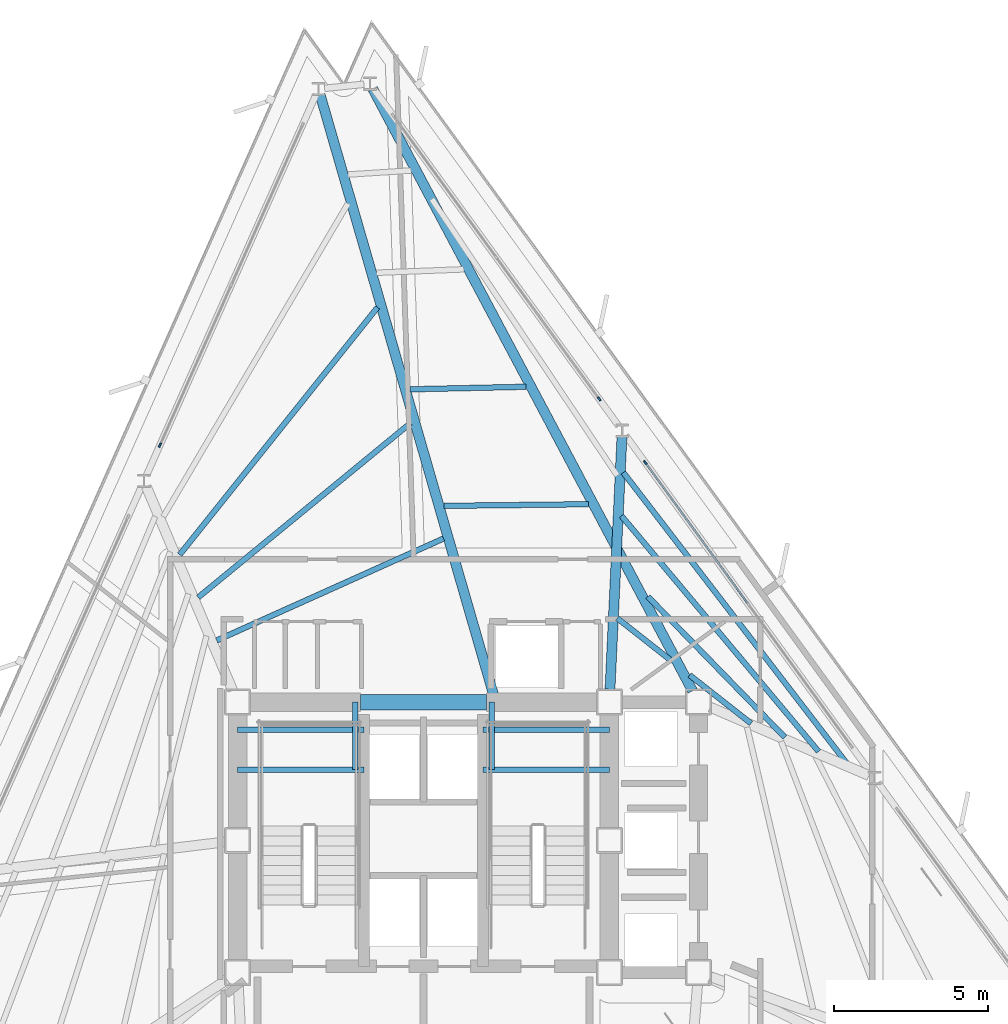
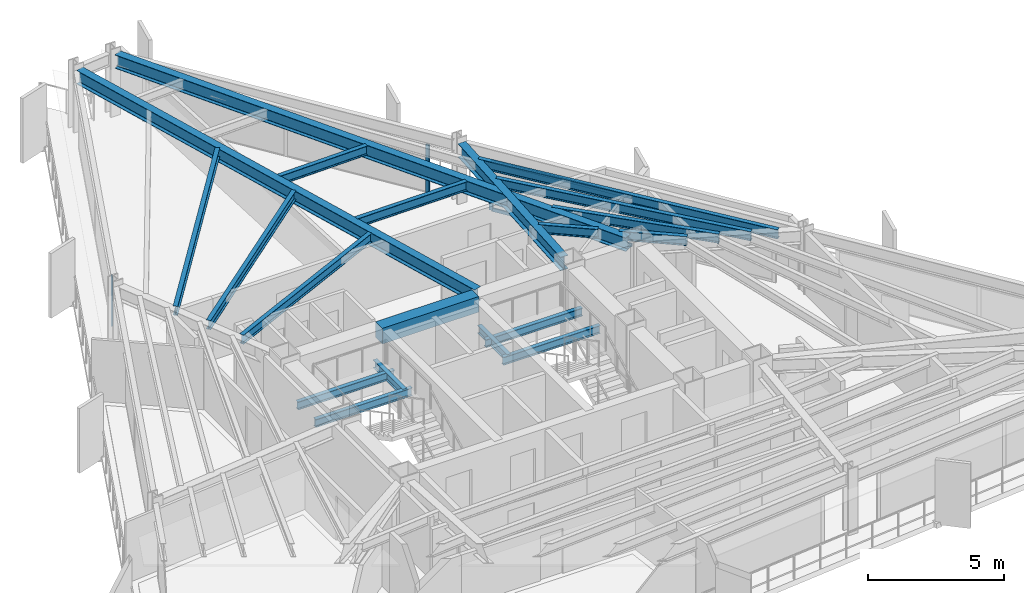
# One storey, part 4 of 12: 20 beams, 5 members, 3 elements without a shape of their own.
"""IFC4 building model written with IfcOpenShell, lengths in metres."""

from ifc_helpers import new_model, si_unit, direction, frame, origin, origin_2d, place, context, subcontext, project, spatial, rectangle, i_section, extrude, material, layer, layer_set, material_profile, profile_set, type_object, element, aggregate, save


model = new_model("IFC4")

# Units and contexts
model_context = context("Model", 3, precision=1e-05, world=origin(), true_north=direction((0.0, 1.0)))
body_context = subcontext(model_context, "Body", "Model", "MODEL_VIEW")
ifc_project = project(units=[si_unit("LENGTHUNIT", "METRE"), si_unit("AREAUNIT", "SQUARE_METRE"), si_unit("VOLUMEUNIT", "CUBIC_METRE"), si_unit("PLANEANGLEUNIT", "RADIAN"), si_unit("MASSUNIT", "GRAM", prefix="KILO")], contexts=[model_context])

# Site, building, storey
site_placement = place(None, origin())
site = spatial("IfcSite", under=ifc_project, at=site_placement, CompositionType="ELEMENT")
building_placement = place(site_placement, origin())
building = spatial("IfcBuilding", under=site, at=building_placement, Name="Rocaltana Carrier Exchange", CompositionType="ELEMENT")
storey_placement = place(building_placement, frame((0.0, 0.0, 110.719970703125)))
storey = spatial("IfcBuildingStorey", under=building, at=storey_placement, Name="L34", CompositionType="ELEMENT", Elevation=110.719970703125)

# Curtain wall, member
ifc_material_1 = material(Name="Aluminium 6063-T6", Category="aluminium")
ifc_layer = layer(ifc_material_1, 0.14990234375)
ifc_layer_set = layer_set([ifc_layer], Name="Aluminium 6063-T6")
curtain_wall_type = type_object("IfcCurtainWallType", Name="Mid-Tower Unitised Curtain Wall CW-03", PredefinedType="NOTDEFINED", material=ifc_layer_set)
curtain_wall_1_placement = place(storey_placement, origin())
curtain_wall_1 = element("IfcCurtainWall", 1, at=curtain_wall_1_placement, inside=storey, type_object=curtain_wall_type, Name="L34 CW-03 Run CW-L34-F1S2", PredefinedType="NOTDEFINED")
ifc_material_2 = material(Name="Aluminium 6063-T6", Category="aluminium")
ifc_material_profile_1 = material_profile(ifc_material_2, rectangle(XDim=0.06005859375, YDim=0.14990234375, at=origin_2d()), Name="AL-60X150")
ifc_profile_set_1 = profile_set([ifc_material_profile_1], Name="Aluminium 6063-T6")
member_type_1 = type_object("IfcMemberType", Name="CW-03 Mullion AL-60X150", PredefinedType="MULLION", material=ifc_profile_set_1)
member_1_placement = place(storey_placement, frame((7.22021484375, 12.29541015625, 0.0), z_axis=(0.0, 0.0, 1.0), x_axis=(-0.809013555195, -0.587789985889, 0.0)))
member_1 = element("IfcMember", 2, at=member_1_placement, type_object=member_type_1, Name="CW-03 mullion 3", PredefinedType="MULLION", context=body_context, shape_type="SweptSolid", body=[
    extrude(rectangle(XDim=0.06005859375, YDim=0.14990234375, at=origin_2d()), origin(), (0.0, 0.0, 1.0), 2.218017578125),
])

curtain_wall_2_placement = place(storey_placement, origin())
curtain_wall_2 = element("IfcCurtainWall", 3, at=curtain_wall_2_placement, inside=storey, type_object=curtain_wall_type, Name="L34 CW-03 Run CW-L34-F1S3", PredefinedType="NOTDEFINED")
member_2_placement = place(storey_placement, frame((5.715576171875, 14.366455078125, 0.0), z_axis=(0.0, 0.0, 1.0), x_axis=(-0.809013555195, -0.587789985889, 0.0)))
member_2 = element("IfcMember", 4, at=member_2_placement, type_object=member_type_1, Name="CW-03 mullion 1", PredefinedType="MULLION", context=body_context, shape_type="SweptSolid", body=[
    extrude(rectangle(XDim=0.06005859375, YDim=0.14990234375, at=origin_2d()), origin(), (0.0, 0.0, 1.0), 2.218017578125),
])
aggregate(curtain_wall_2, [member_2])

curtain_wall_3_placement = place(storey_placement, origin())
curtain_wall_3 = element("IfcCurtainWall", 5, at=curtain_wall_3_placement, inside=storey, type_object=curtain_wall_type, Name="L34 CW-03 Run CW-L34-F2S1", PredefinedType="NOTDEFINED")
member_3_placement = place(storey_placement, frame((-8.577392578125, 12.8642578125, 0.0), z_axis=(0.0, 0.0, 1.0), x_axis=(0.913543791084, -0.406740386206, 0.0)))
member_3 = element("IfcMember", 6, at=member_3_placement, type_object=member_type_1, Name="CW-03 mullion 3", PredefinedType="MULLION", context=body_context, shape_type="SweptSolid", body=[
    extrude(rectangle(XDim=0.06005859375, YDim=0.14990234375, at=origin_2d()), origin(), (0.0, 0.0, 1.0), 2.218017578125),
])
aggregate(curtain_wall_3, [member_3])

# Member
ifc_material_3 = material(Name="Aluminium 6063-T6", Category="aluminium")
ifc_material_profile_2 = material_profile(ifc_material_3, rectangle(XDim=0.06005859375, YDim=0.14990234375, at=origin_2d()), Name="AL-60X150")
ifc_profile_set_2 = profile_set([ifc_material_profile_2], Name="Aluminium 6063-T6")
member_type_2 = type_object("IfcMemberType", Name="CW-03 Transom AL-60X150", PredefinedType="USERDEFINED", material=ifc_profile_set_2)
member_4_placement = place(storey_placement, frame((10.554931640625, 7.70556640625, 0.030029296875), z_axis=(-0.58778321885, 0.809018471753, 0.0), x_axis=(-0.809018471753, -0.58778321885, 0.0)))
member_4 = element("IfcMember", 7, at=member_4_placement, type_object=member_type_2, Name="CW-03 transom 2.1", ObjectType="TRANSOM", PredefinedType="USERDEFINED", context=body_context, shape_type="SweptSolid", body=[
    extrude(rectangle(XDim=0.06005859375, YDim=0.14990234375, at=origin_2d()), origin(), (0.0, 0.0, 1.0), 5.6435546875),
])

member_5_placement = place(storey_placement, frame((10.554931640625, 7.70556640625, 2.18798828125), z_axis=(-0.58778321885, 0.809018471753, 0.0), x_axis=(-0.809018471753, -0.58778321885, 0.0)))
member_5 = element("IfcMember", 8, at=member_5_placement, type_object=member_type_2, Name="CW-03 transom 2.2", ObjectType="TRANSOM", PredefinedType="USERDEFINED", context=body_context, shape_type="SweptSolid", body=[
    extrude(rectangle(XDim=0.06005859375, YDim=0.14990234375, at=origin_2d()), origin(), (0.0, 0.0, 1.0), 5.6435546875),
])

aggregate(curtain_wall_1, [member_1, member_4, member_5])

# Beams
ifc_material_4 = material(Name="Concrete C60/75", Category="concrete")
ifc_material_profile_3 = material_profile(ifc_material_4, rectangle(XDim=0.5, YDim=0.699951171875, at=origin_2d()), Name="RC-BM-500X700")
ifc_profile_set_3 = profile_set([ifc_material_profile_3], Name="Concrete C60/75")
beam_type_1 = type_object("IfcBeamType", Name="Core Coupling Lintel 500x700", PredefinedType="LINTEL", material=ifc_profile_set_3)
beam_1_placement = place(storey_placement, frame((-2.050048828125, 4.5, 2.43798828125), z_axis=(1.0, 0.0, 0.0), x_axis=(0.0, 1.0, 0.0)))
element("IfcBeam", 9, at=beam_1_placement, inside=storey, type_object=beam_type_1, Name="L34 Core Coupling Lintel CL-N", PredefinedType="LINTEL", context=body_context, shape_type="SweptSolid", body=[
    extrude(rectangle(XDim=0.5, YDim=0.699951171875, at=origin_2d()), origin(), (0.0, 0.0, 1.0), 4.10009765625),
])
ifc_material_5 = material(Name="Steel S355", Category="steel")
ifc_material_profile_4 = material_profile(ifc_material_5, i_section(OverallWidth=0.172119140625, OverallDepth=0.35791015625, WebThickness=0.0078125, FlangeThickness=0.01318359375, FilletRadius=0.011962890625, at=origin_2d()), Name="W14X38")
ifc_profile_set_4 = profile_set([ifc_material_profile_4], Name="Steel S355")
beam_type_2 = type_object("IfcBeamType", Name="Floor Joist W14X38", PredefinedType="JOIST", material=ifc_profile_set_4)
for number, where, z_axis, x_axis, name in (
    (10, (-6.050048828125, 2.300048828125, 1.14111328125), (1.0, 0.0, 0.0), (0.0, 1.0, 0.0), "L34 ST-1 Landing Carrier 1"),
    (11, (1.93994140625, 2.300048828125, 1.14111328125), (1.0, 0.0, 0.0), (0.0, 1.0, 0.0), "L34 ST-2 Landing Carrier 1"),
    (12, (-6.050048828125, 3.60009765625, 1.14111328125), (1.0, 0.0, 0.0), (0.0, 1.0, 0.0), "L34 ST-1 Landing Carrier 2"),
    (13, (1.93994140625, 3.60009765625, 1.14111328125), (1.0, 0.0, 0.0), (0.0, 1.0, 0.0), "L34 ST-2 Landing Carrier 2"),
):
    element("IfcBeam", number, at=place(storey_placement, frame(where, z_axis=z_axis, x_axis=x_axis)), inside=storey, type_object=beam_type_2, Name=name, PredefinedType="JOIST", context=body_context, shape_type="SweptSolid", body=[
        extrude(i_section(OverallWidth=0.172119140625, OverallDepth=0.35791015625, WebThickness=0.0078125, FlangeThickness=0.01318359375, FilletRadius=0.011962890625, at=origin_2d()), origin(), (0.0, 0.0, 1.0), 4.110107421875),
    ])
for number, where, z_axis, x_axis, name in (
    (14, (-2.219970703125, 2.300048828125, 1.14111328125), (0.0, 1.0, 0.0), (-1.0, 0.0, 0.0), "L34 ST-1 Landing Cross Trimmer"),
    (15, (2.219970703125, 2.300048828125, 1.14111328125), (0.0, 1.0, 0.0), (-1.0, 0.0, 0.0), "L34 ST-2 Landing Cross Trimmer"),
):
    element("IfcBeam", number, at=place(storey_placement, frame(where, z_axis=z_axis, x_axis=x_axis)), inside=storey, type_object=beam_type_2, Name=name, PredefinedType="JOIST", context=body_context, shape_type="SweptSolid", body=[
        extrude(i_section(OverallWidth=0.172119140625, OverallDepth=0.35791015625, WebThickness=0.0078125, FlangeThickness=0.01318359375, FilletRadius=0.011962890625, at=origin_2d()), origin(), (0.0, 0.0, 1.0), 2.199951171875),
    ])
ifc_material_6 = material(Name="Steel S355", Category="steel")
ifc_material_profile_5 = material_profile(ifc_material_6, i_section(OverallWidth=0.179931640625, OverallDepth=0.4130859375, WebThickness=0.009765625, FlangeThickness=0.01611328125, FilletRadius=0.012939453125, at=origin_2d()), Name="W16X50")
ifc_profile_set_5 = profile_set([ifc_material_profile_5], Name="Steel S355")
beam_type_3 = type_object("IfcBeamType", Name="Floor Joist W16X50", PredefinedType="JOIST", material=ifc_profile_set_5)
beam_2_placement = place(storey_placement, frame((10.66015625, 3.806640625, 2.58154296875), z_axis=(-0.786171683664, 0.618008158365, 0.0), x_axis=(-0.618008158365, -0.786171683664, 0.0)))
element("IfcBeam", 16, at=beam_2_placement, inside=storey, type_object=beam_type_3, Name="FJ-L34-02-1S1", PredefinedType="JOIST", context=body_context, shape_type="SweptSolid", body=[
    extrude(i_section(OverallWidth=0.179931640625, OverallDepth=0.4130859375, WebThickness=0.009765625, FlangeThickness=0.01611328125, FilletRadius=0.012939453125, at=origin_2d()), origin(), (0.0, 0.0, 1.0), 2.5419921875),
])
beam_3_placement = place(storey_placement, frame((8.051025390625, 5.85791015625, 2.58154296875), z_axis=(-0.786142704991, 0.61804502052, 0.0), x_axis=(-0.61804502052, -0.786142704991, 0.0)))
element("IfcBeam", 17, at=beam_3_placement, inside=storey, type_object=beam_type_3, Name="FJ-L34-02-1S2", PredefinedType="JOIST", context=body_context, shape_type="SweptSolid", body=[
    extrude(i_section(OverallWidth=0.179931640625, OverallDepth=0.4130859375, WebThickness=0.009765625, FlangeThickness=0.01611328125, FilletRadius=0.012939453125, at=origin_2d()), origin(), (0.0, 0.0, 1.0), 2.21923828125),
])
beam_4_placement = place(storey_placement, frame((11.76220703125, 3.35302734375, 2.58154296875), z_axis=(-0.697417522087, 0.716665054182, 0.0), x_axis=(-0.716665054182, -0.697417522087, 0.0)))
element("IfcBeam", 18, at=beam_4_placement, inside=storey, type_object=beam_type_3, Name="FJ-L34-02-2", PredefinedType="JOIST", context=body_context, shape_type="SweptSolid", body=[
    extrude(i_section(OverallWidth=0.179931640625, OverallDepth=0.4130859375, WebThickness=0.009765625, FlangeThickness=0.01611328125, FilletRadius=0.012939453125, at=origin_2d()), origin(), (0.0, 0.0, 1.0), 6.392822265625),
])
beam_5_placement = place(storey_placement, frame((12.85888671875, 2.891845703125, 2.58154296875), z_axis=(-0.641626502417, 0.767017230182, 0.0), x_axis=(-0.767017230182, -0.641626502417, 0.0)))
element("IfcBeam", 19, at=beam_5_placement, inside=storey, type_object=beam_type_3, Name="FJ-L34-02-3", PredefinedType="JOIST", context=body_context, shape_type="SweptSolid", body=[
    extrude(i_section(OverallWidth=0.179931640625, OverallDepth=0.4130859375, WebThickness=0.009765625, FlangeThickness=0.01611328125, FilletRadius=0.012939453125, at=origin_2d()), origin(), (0.0, 0.0, 1.0), 10.0),
])
beam_6_placement = place(storey_placement, frame((13.7802734375, 2.5009765625, 2.58154296875), z_axis=(-0.60925224181, 0.792976485054, 0.0), x_axis=(-0.792976485054, -0.60925224181, 0.0)))
element("IfcBeam", 20, at=beam_6_placement, inside=storey, type_object=beam_type_3, Name="FJ-L34-02-4", PredefinedType="JOIST", context=body_context, shape_type="SweptSolid", body=[
    extrude(i_section(OverallWidth=0.179931640625, OverallDepth=0.4130859375, WebThickness=0.009765625, FlangeThickness=0.01611328125, FilletRadius=0.012939453125, at=origin_2d()), origin(), (0.0, 0.0, 1.0), 11.9423828125),
])
beam_7_placement = place(storey_placement, frame((5.372802734375, 10.93994140625, 2.58154296875), z_axis=(-0.999937391673, -0.01118984958, 0.0), x_axis=(0.01118984958, -0.999937391673, 0.0)))
element("IfcBeam", 21, at=beam_7_placement, inside=storey, type_object=beam_type_3, Name="FJ-L34-04-1", PredefinedType="JOIST", context=body_context, shape_type="SweptSolid", body=[
    extrude(i_section(OverallWidth=0.179931640625, OverallDepth=0.4130859375, WebThickness=0.009765625, FlangeThickness=0.01611328125, FilletRadius=0.012939453125, at=origin_2d()), origin(), (0.0, 0.0, 1.0), 4.712646484375),
])
beam_8_placement = place(storey_placement, frame((3.34130859375, 14.762939453125, 2.58154296875), z_axis=(-0.999758539531, -0.02197413559, 0.0), x_axis=(0.02197413559, -0.999758539531, 0.0)))
element("IfcBeam", 22, at=beam_8_placement, inside=storey, type_object=beam_type_3, Name="FJ-L34-04-2", PredefinedType="JOIST", context=body_context, shape_type="SweptSolid", body=[
    extrude(i_section(OverallWidth=0.179931640625, OverallDepth=0.4130859375, WebThickness=0.009765625, FlangeThickness=0.01611328125, FilletRadius=0.012939453125, at=origin_2d()), origin(), (0.0, 0.0, 1.0), 3.777587890625),
])
beam_9_placement = place(storey_placement, frame((0.650390625, 9.82373046875, 2.58154296875), z_axis=(-0.912122924313, -0.409916785388, 0.0), x_axis=(0.409916785388, -0.912122924313, 0.0)))
element("IfcBeam", 23, at=beam_9_placement, inside=storey, type_object=beam_type_3, Name="FJ-L34-05-1", PredefinedType="JOIST", context=body_context, shape_type="SweptSolid", body=[
    extrude(i_section(OverallWidth=0.179931640625, OverallDepth=0.4130859375, WebThickness=0.009765625, FlangeThickness=0.01611328125, FilletRadius=0.012939453125, at=origin_2d()), origin(), (0.0, 0.0, 1.0), 8.09228515625),
])
beam_10_placement = place(storey_placement, frame((-0.423583984375, 13.579833984375, 2.58154296875), z_axis=(-0.772904703417, -0.634522118949, 0.0), x_axis=(0.634522118949, -0.772904703417, 0.0)))
element("IfcBeam", 24, at=beam_10_placement, inside=storey, type_object=beam_type_3, Name="FJ-L34-05-2", PredefinedType="JOIST", context=body_context, shape_type="SweptSolid", body=[
    extrude(i_section(OverallWidth=0.179931640625, OverallDepth=0.4130859375, WebThickness=0.009765625, FlangeThickness=0.01611328125, FilletRadius=0.012939453125, at=origin_2d()), origin(), (0.0, 0.0, 1.0), 8.937744140625),
])
beam_11_placement = place(storey_placement, frame((-1.49609375, 17.348388671875, 2.58154296875), z_axis=(-0.624570833633, -0.78096816438, 0.0), x_axis=(0.78096816438, -0.624570833633, 0.0)))
element("IfcBeam", 25, at=beam_11_placement, inside=storey, type_object=beam_type_3, Name="FJ-L34-05-3", PredefinedType="JOIST", context=body_context, shape_type="SweptSolid", body=[
    extrude(i_section(OverallWidth=0.179931640625, OverallDepth=0.4130859375, WebThickness=0.009765625, FlangeThickness=0.01611328125, FilletRadius=0.012939453125, at=origin_2d()), origin(), (0.0, 0.0, 1.0), 10.307373046875),
])
ifc_material_7 = material(Name="Steel S355", Category="steel")
ifc_material_profile_6 = material_profile(ifc_material_7, i_section(OverallWidth=0.323974609375, OverallDepth=0.611083984375, WebThickness=0.0126953125, FlangeThickness=0.01904296875, FilletRadius=0.01611328125, at=origin_2d()), Name="W24X104")
ifc_profile_set_6 = profile_set([ifc_material_profile_6], Name="Steel S355")
beam_type_4 = type_object("IfcBeamType", Name="Radial Girder W24X104", PredefinedType="BEAM", material=ifc_profile_set_6)
beam_12_placement = place(storey_placement, frame((6.069580078125, 4.91650390625, 2.482421875), z_axis=(0.047278898031, 0.998881727634, 0.0), x_axis=(-0.998881727634, 0.047278898031, 0.0)))
element("IfcBeam", 26, at=beam_12_placement, inside=storey, type_object=beam_type_4, Name="RG-L34-03", PredefinedType="BEAM", context=body_context, shape_type="SweptSolid", body=[
    extrude(i_section(OverallWidth=0.323974609375, OverallDepth=0.611083984375, WebThickness=0.0126953125, FlangeThickness=0.01904296875, FilletRadius=0.01611328125, at=origin_2d()), origin(), (0.0, 0.0, 1.0), 8.22607421875),
])
beam_13_placement = place(storey_placement, frame((8.75439453125, 4.868408203125, 2.482421875), z_axis=(-0.469068298705, 0.883161894077, 0.0), x_axis=(-0.883161894077, -0.469068298705, 0.0)))
element("IfcBeam", 27, at=beam_13_placement, inside=storey, type_object=beam_type_4, Name="RG-L34-04", PredefinedType="BEAM", context=body_context, shape_type="SweptSolid", body=[
    extrude(i_section(OverallWidth=0.323974609375, OverallDepth=0.611083984375, WebThickness=0.0126953125, FlangeThickness=0.01904296875, FilletRadius=0.01611328125, at=origin_2d()), origin(), (0.0, 0.0, 1.0), 22.17822265625),
])
beam_14_placement = place(storey_placement, frame((2.28271484375, 4.732421875, 2.482421875), z_axis=(-0.277657134471, 0.960680235915, 0.0), x_axis=(-0.960680235915, -0.277657134471, 0.0)))
element("IfcBeam", 28, at=beam_14_placement, inside=storey, type_object=beam_type_4, Name="RG-L34-05", PredefinedType="BEAM", context=body_context, shape_type="SweptSolid", body=[
    extrude(i_section(OverallWidth=0.323974609375, OverallDepth=0.611083984375, WebThickness=0.0126953125, FlangeThickness=0.01904296875, FilletRadius=0.01611328125, at=origin_2d()), origin(), (0.0, 0.0, 1.0), 20.330810546875),
])

save(model, "model.ifc")
